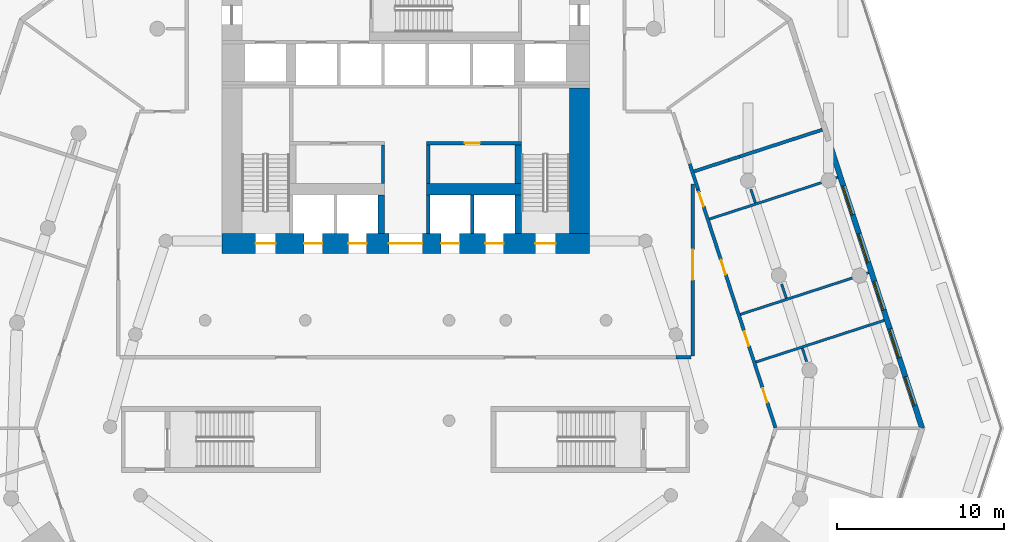
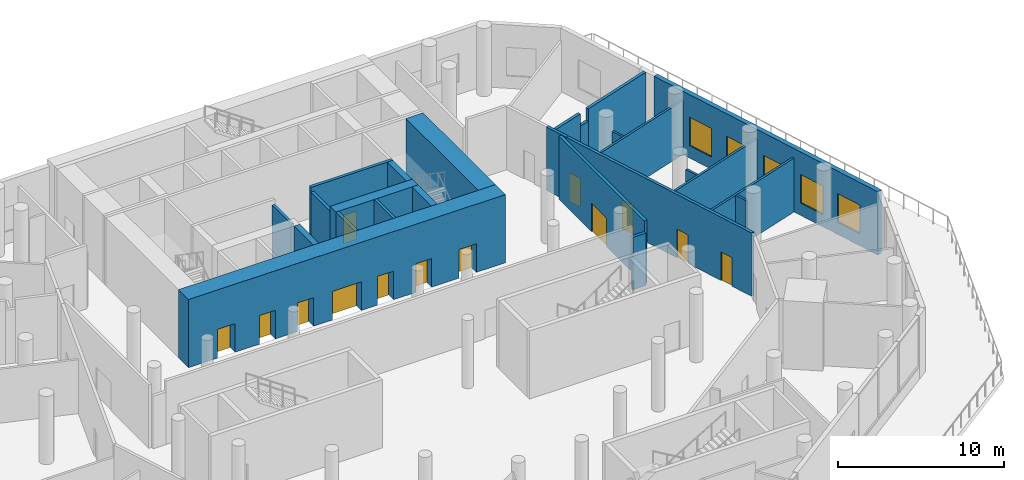
# One storey, part 12 of 19: 25 walls, 13 doors, 5 windows, 18 openings.
"""IFC4 building model written with IfcOpenShell, lengths in metres."""

from ifc_helpers import new_model, si_unit, direction, frame, frame_2d, origin, place, context, subcontext, project, spatial, rectangle, extrude, material, layer, layer_set, type_object, element, fill, save


model = new_model("IFC4")

# Units and contexts
model_context = context("Model", 3, precision=1e-05, world=origin(), true_north=direction((0.0, 1.0)))
body_context = subcontext(model_context, "Body", "Model", "MODEL_VIEW")
ifc_project = project(units=[si_unit("LENGTHUNIT", "METRE"), si_unit("AREAUNIT", "SQUARE_METRE"), si_unit("VOLUMEUNIT", "CUBIC_METRE"), si_unit("PLANEANGLEUNIT", "RADIAN"), si_unit("MASSUNIT", "GRAM", prefix="KILO")], contexts=[model_context])

# Site, building, storey
site_placement = place(None, origin())
site = spatial("IfcSite", under=ifc_project, at=site_placement, CompositionType="ELEMENT")
building_placement = place(site_placement, origin())
building = spatial("IfcBuilding", under=site, at=building_placement, Name="White Candle Pilgrim Tower", CompositionType="ELEMENT")
storey_placement = place(building_placement, frame((0.0, 0.0, 29.0)))
storey = spatial("IfcBuildingStorey", under=building, at=storey_placement, Name="L04", CompositionType="ELEMENT", Elevation=29.0)

# Walls
ifc_material_1 = material(Name="Autoclaved aerated block D500, plastered")
ifc_layer_1 = layer(ifc_material_1, 0.199951171875)
ifc_layer_set_1 = layer_set([ifc_layer_1], Name="Compartment wall 200 mm REI 240")
wall_type_1 = type_object("IfcWallType", Name="Compartment wall 200 mm REI 240", PredefinedType="PARTITIONING", material=ifc_layer_set_1)
wall_1_placement = place(storey_placement, frame((87.0087890625, 76.373779296875, 0.0), z_axis=(0.0, 0.0, 1.0), x_axis=(0.308958737343, -0.95107544318, 0.0)))
element("IfcWall", 1, at=wall_1_placement, inside=storey, type_object=wall_type_1, Name="WL-L04-P056", PredefinedType="PARTITIONING", context=body_context, shape_type="SweptSolid", body=[
    extrude(rectangle(XDim=1.60400390625, YDim=0.199951171875, at=frame_2d((0.802001953125, 0.0))), origin(), (0.0, 0.0, 1.0), 4.64990234375),
])
wall_2_placement = place(storey_placement, frame((94.94677734375, 78.414306640625, 0.0), z_axis=(0.0, 0.0, 1.0), x_axis=(-0.951065538784, -0.308989224631, 0.0)))
element("IfcWall", 2, at=wall_2_placement, inside=storey, type_object=wall_type_1, Name="WL-L04-P031", PredefinedType="PARTITIONING", context=body_context, shape_type="SweptSolid", body=[
    extrude(rectangle(XDim=5.187255859375, YDim=0.199951171875, at=frame_2d((2.59375, 0.0))), origin(), (0.0, 0.0, 1.0), 4.64990234375),
])
wall_3_placement = place(storey_placement, frame((90.013427734375, 76.8115234375, 0.0), z_axis=(0.0, 0.0, 1.0), x_axis=(-0.951067455121, -0.308983326103, 0.0)))
element("IfcWall", 3, at=wall_3_placement, inside=storey, type_object=wall_type_1, Name="WL-L04-P031a", PredefinedType="PARTITIONING", context=body_context, shape_type="SweptSolid", body=[
    extrude(rectangle(XDim=0.698486328125, YDim=0.199951171875, at=frame_2d((0.34912109375, 0.0))), origin(), (0.0, 0.0, 1.0), 3.75),
])
wall_4_placement = place(storey_placement, frame((89.34912109375, 76.595703125, 0.0), z_axis=(0.0, 0.0, 1.0), x_axis=(-0.951037339136, -0.309076009373, 0.0)))
element("IfcWall", 4, at=wall_4_placement, inside=storey, type_object=wall_type_1, Name="WL-L04-P031b", PredefinedType="PARTITIONING", context=body_context, shape_type="SweptSolid", body=[
    extrude(rectangle(XDim=2.1943359375, YDim=0.199951171875, at=frame_2d((1.09716796875, 0.0))), origin(), (0.0, 0.0, 1.0), 4.64990234375),
])

# Wall, opening, door
wall_5_placement = place(storey_placement, frame((87.199951171875, 75.1552734375, 0.0), z_axis=(0.0, 0.0, 1.0), x_axis=(0.0, -1.0, 0.0)))
wall_5 = element("IfcWall", 5, at=wall_5_placement, inside=storey, type_object=wall_type_1, Name="WL-L04-P032", PredefinedType="PARTITIONING", context=body_context, shape_type="SweptSolid", body=[
    extrude(rectangle(XDim=10.2802734375, YDim=0.199951171875, at=frame_2d((5.14013671875, 0.0))), origin(), (0.0, 0.0, 1.0), 4.64990234375),
])
opening_1_placement = place(wall_5_placement, frame((3.925048828125, 0.0, 0.0)))
opening_1 = element("IfcOpeningElement", 6, at=opening_1_placement, cuts=wall_5, Name="Opening L04-117", PredefinedType="OPENING", context=body_context, shape_type="SweptSolid", body=[
    extrude(rectangle(XDim=1.800048828125, YDim=2.10009765625, at=frame_2d((0.89990234375, 1.050048828125))), frame((0.0, 0.10986328125, 0.0), z_axis=(0.0, -1.0, 0.0), x_axis=(1.0, 0.0, 0.0)), (0.0, 0.0, 1.0), 0.219970703125),
])
ifc_material_2 = material(Name="Steel door leaf", Category="steel")
door_type_1 = type_object("IfcDoorType", Name="Compartment door 1800 x 2100 EI 60", OperationType="NOTDEFINED", PredefinedType="DOOR", material=ifc_material_2)
door_1_placement = place(opening_1_placement, origin())
door_1 = element("IfcDoor", 7, at=door_1_placement, inside=storey, type_object=door_type_1, Name="Door L04-117", OperationType="DOUBLE_DOOR_SINGLE_SWING", OverallHeight=2.10009765625, OverallWidth=1.800048828125, PredefinedType="DOOR", context=body_context, shape_type="SweptSolid", body=[
    extrude(rectangle(XDim=1.800048828125, YDim=2.10009765625, at=frame_2d((0.89990234375, 1.050048828125))), frame((0.0, 0.02490234375, 0.0), z_axis=(0.0, -1.0, 0.0), x_axis=(1.0, 0.0, 0.0)), (0.0, 0.0, 1.0), 0.050048828125),
])
fill(opening_1, door_1)

# Wall
wall_6_placement = place(storey_placement, frame((87.10009765625, 64.800048828125, 0.0), z_axis=(0.0, 0.0, 1.0), x_axis=(-1.0, 0.0, 0.0)))
element("IfcWall", 8, at=wall_6_placement, inside=storey, type_object=wall_type_1, Name="WL-L04-P033", PredefinedType="PARTITIONING", context=body_context, shape_type="SweptSolid", body=[
    extrude(rectangle(XDim=0.900146484375, YDim=0.199951171875, at=frame_2d((0.4501953125, 0.0))), origin(), (0.0, 0.0, 1.0), 3.85009765625),
])

# Wall, openings, doors
ifc_material_3 = material(Name="Gypsum board on steel studs", Category="steel")
ifc_layer_2 = layer(ifc_material_3, 0.199951171875)
ifc_layer_set_2 = layer_set([ifc_layer_2], Name="Corridor wall 200 mm EI 45")
wall_type_2 = type_object("IfcWallType", Name="Corridor wall 200 mm EI 45", PredefinedType="PARTITIONING", material=ifc_layer_set_2)
wall_7_placement = place(storey_placement, frame((87.50439453125, 74.84814453125, 0.0), z_axis=(0.0, 0.0, 1.0), x_axis=(0.309027605618, -0.951053068428, 0.0)))
wall_7 = element("IfcWall", 9, at=wall_7_placement, inside=storey, type_object=wall_type_2, Name="WL-L04-P057", PredefinedType="PARTITIONING", context=body_context, shape_type="SweptSolid", body=[
    extrude(rectangle(XDim=15.012939453125, YDim=0.199951171875, at=frame_2d((7.50634765625, 0.0))), origin(), (0.0, 0.0, 1.0), 4.64990234375),
])
opening_2_placement = place(wall_7_placement, frame((12.526611328125, 0.0, 0.0)))
opening_2 = element("IfcOpeningElement", 10, at=opening_2_placement, cuts=wall_7, Name="Opening L04-112", PredefinedType="OPENING", context=body_context, shape_type="SweptSolid", body=[
    extrude(rectangle(XDim=0.89990234375, YDim=2.10009765625, at=frame_2d((0.449951171875, 1.050048828125))), frame((0.0, 0.10986328125, 0.0), z_axis=(0.0, -1.0, 0.0), x_axis=(1.0, 0.0, 0.0)), (0.0, 0.0, 1.0), 0.219970703125),
])
opening_3_placement = place(wall_7_placement, frame((8.9580078125, 0.0, 0.0)))
opening_3 = element("IfcOpeningElement", 11, at=opening_3_placement, cuts=wall_7, Name="Opening L04-113", PredefinedType="OPENING", context=body_context, shape_type="SweptSolid", body=[
    extrude(rectangle(XDim=0.89990234375, YDim=2.10009765625, at=frame_2d((0.449951171875, 1.050048828125))), frame((0.0, 0.10986328125, 0.0), z_axis=(0.0, -1.0, 0.0), x_axis=(1.0, 0.0, 0.0)), (0.0, 0.0, 1.0), 0.219970703125),
])
opening_4_placement = place(wall_7_placement, frame((4.4580078125, 0.0, 0.0)))
opening_4 = element("IfcOpeningElement", 12, at=opening_4_placement, cuts=wall_7, Name="Opening L04-114", PredefinedType="OPENING", context=body_context, shape_type="SweptSolid", body=[
    extrude(rectangle(XDim=0.89990234375, YDim=2.10009765625, at=frame_2d((0.449951171875, 1.050048828125))), frame((0.0, 0.10986328125, 0.0), z_axis=(0.0, -1.0, 0.0), x_axis=(1.0, 0.0, 0.0)), (0.0, 0.0, 1.0), 0.219970703125),
])
opening_5_placement = place(wall_7_placement, frame((0.18310546875, 0.0, 0.0)))
opening_5 = element("IfcOpeningElement", 13, at=opening_5_placement, cuts=wall_7, Name="Opening L04-115", PredefinedType="OPENING", context=body_context, shape_type="SweptSolid", body=[
    extrude(rectangle(XDim=0.89990234375, YDim=2.10009765625, at=frame_2d((0.449951171875, 1.050048828125))), frame((0.0, 0.10986328125, 0.0), z_axis=(0.0, -1.0, 0.0), x_axis=(1.0, 0.0, 0.0)), (0.0, 0.0, 1.0), 0.219970703125),
])
door_type_2 = type_object("IfcDoorType", Name="Fire door 900 x 2100 EI 30", OperationType="NOTDEFINED", PredefinedType="DOOR", material=ifc_material_2)
door_2_placement = place(opening_2_placement, origin())
door_2 = element("IfcDoor", 14, at=door_2_placement, inside=storey, type_object=door_type_2, Name="Door L04-112", OperationType="SINGLE_SWING_RIGHT", OverallHeight=2.10009765625, OverallWidth=0.89990234375, PredefinedType="DOOR", context=body_context, shape_type="SweptSolid", body=[
    extrude(rectangle(XDim=0.89990234375, YDim=2.10009765625, at=frame_2d((0.449951171875, 1.050048828125))), frame((0.0, 0.02490234375, 0.0), z_axis=(0.0, -1.0, 0.0), x_axis=(1.0, 0.0, 0.0)), (0.0, 0.0, 1.0), 0.050048828125),
])
fill(opening_2, door_2)
door_3_placement = place(opening_3_placement, origin())
door_3 = element("IfcDoor", 15, at=door_3_placement, inside=storey, type_object=door_type_2, Name="Door L04-113", OperationType="SINGLE_SWING_LEFT", OverallHeight=2.10009765625, OverallWidth=0.89990234375, PredefinedType="DOOR", context=body_context, shape_type="SweptSolid", body=[
    extrude(rectangle(XDim=0.89990234375, YDim=2.10009765625, at=frame_2d((0.449951171875, 1.050048828125))), frame((0.0, 0.02490234375, 0.0), z_axis=(0.0, -1.0, 0.0), x_axis=(1.0, 0.0, 0.0)), (0.0, 0.0, 1.0), 0.050048828125),
])
fill(opening_3, door_3)
door_4_placement = place(opening_4_placement, origin())
door_4 = element("IfcDoor", 16, at=door_4_placement, inside=storey, type_object=door_type_2, Name="Door L04-114", OperationType="SINGLE_SWING_RIGHT", OverallHeight=2.10009765625, OverallWidth=0.89990234375, PredefinedType="DOOR", context=body_context, shape_type="SweptSolid", body=[
    extrude(rectangle(XDim=0.89990234375, YDim=2.10009765625, at=frame_2d((0.449951171875, 1.050048828125))), frame((0.0, 0.02490234375, 0.0), z_axis=(0.0, -1.0, 0.0), x_axis=(1.0, 0.0, 0.0)), (0.0, 0.0, 1.0), 0.050048828125),
])
fill(opening_4, door_4)
door_5_placement = place(opening_5_placement, origin())
door_5 = element("IfcDoor", 17, at=door_5_placement, inside=storey, type_object=door_type_2, Name="Door L04-115", OperationType="SINGLE_SWING_LEFT", OverallHeight=2.10009765625, OverallWidth=0.89990234375, PredefinedType="DOOR", context=body_context, shape_type="SweptSolid", body=[
    extrude(rectangle(XDim=0.89990234375, YDim=2.10009765625, at=frame_2d((0.449951171875, 1.050048828125))), frame((0.0, 0.02490234375, 0.0), z_axis=(0.0, -1.0, 0.0), x_axis=(1.0, 0.0, 0.0)), (0.0, 0.0, 1.0), 0.050048828125),
])
fill(opening_5, door_5)

# Wall, openings, windows
ifc_material_4 = material(Name="Precast concrete C40/50", Category="concrete")
ifc_layer_3 = layer(ifc_material_4, 0.320068359375)
ifc_layer_set_3 = layer_set([ifc_layer_3], Name="Facade wall EW3 precast concrete C40/50 and stone-faced podium wall")
wall_type_3 = type_object("IfcWallType", Name="Facade wall EW3 precast concrete C40/50 and stone-faced podium wall", PredefinedType="SOLIDWALL", material=ifc_layer_set_3)
wall_8_placement = place(storey_placement, frame((100.9228515625, 60.5390625, 0.0), z_axis=(0.0, 0.0, 1.0), x_axis=(-0.309011034794, 0.95105845266, 0.0)))
wall_8 = element("IfcWall", 18, at=wall_8_placement, inside=storey, type_object=wall_type_3, Name="Facade wall L04 ENE", PredefinedType="SOLIDWALL", context=body_context, shape_type="SweptSolid", body=[
    extrude(rectangle(XDim=18.09814453125, YDim=0.320068359375, at=frame_2d((9.049072265625, 0.0))), origin(), (0.0, 0.0, 1.0), 4.64990234375),
])
opening_6_placement = place(wall_8_placement, frame((1.447265625, 0.0, 0.89990234375)))
opening_6 = element("IfcOpeningElement", 19, at=opening_6_placement, cuts=wall_8, Name="Opening W8", PredefinedType="OPENING", context=body_context, shape_type="SweptSolid", body=[
    extrude(rectangle(XDim=1.800048828125, YDim=2.10009765625, at=frame_2d((0.89990234375, 1.050048828125))), frame((0.0, 0.169921875, 0.0), z_axis=(0.0, -1.0, 0.0), x_axis=(1.0, 0.0, 0.0)), (0.0, 0.0, 1.0), 0.340087890625),
])
opening_7_placement = place(wall_8_placement, frame((4.447265625, 0.0, 0.89990234375)))
opening_7 = element("IfcOpeningElement", 20, at=opening_7_placement, cuts=wall_8, Name="Opening W8", PredefinedType="OPENING", context=body_context, shape_type="SweptSolid", body=[
    extrude(rectangle(XDim=1.800048828125, YDim=2.10009765625, at=frame_2d((0.89990234375, 1.050048828125))), frame((0.0, 0.169921875, 0.0), z_axis=(0.0, -1.0, 0.0), x_axis=(1.0, 0.0, 0.0)), (0.0, 0.0, 1.0), 0.340087890625),
])
opening_8_placement = place(wall_8_placement, frame((7.447265625, 0.0, 0.89990234375)))
opening_8 = element("IfcOpeningElement", 21, at=opening_8_placement, cuts=wall_8, Name="Opening W8", PredefinedType="OPENING", context=body_context, shape_type="SweptSolid", body=[
    extrude(rectangle(XDim=1.800048828125, YDim=2.10009765625, at=frame_2d((0.89990234375, 1.050048828125))), frame((0.0, 0.169921875, 0.0), z_axis=(0.0, -1.0, 0.0), x_axis=(1.0, 0.0, 0.0)), (0.0, 0.0, 1.0), 0.340087890625),
])
opening_9_placement = place(wall_8_placement, frame((10.447265625, 0.0, 0.89990234375)))
opening_9 = element("IfcOpeningElement", 22, at=opening_9_placement, cuts=wall_8, Name="Opening W8", PredefinedType="OPENING", context=body_context, shape_type="SweptSolid", body=[
    extrude(rectangle(XDim=1.800048828125, YDim=2.10009765625, at=frame_2d((0.89990234375, 1.050048828125))), frame((0.0, 0.169921875, 0.0), z_axis=(0.0, -1.0, 0.0), x_axis=(1.0, 0.0, 0.0)), (0.0, 0.0, 1.0), 0.340087890625),
])
opening_10_placement = place(wall_8_placement, frame((13.447265625, 0.0, 0.89990234375)))
opening_10 = element("IfcOpeningElement", 23, at=opening_10_placement, cuts=wall_8, Name="Opening W8", PredefinedType="OPENING", context=body_context, shape_type="SweptSolid", body=[
    extrude(rectangle(XDim=1.800048828125, YDim=2.10009765625, at=frame_2d((0.89990234375, 1.050048828125))), frame((0.0, 0.169921875, 0.0), z_axis=(0.0, -1.0, 0.0), x_axis=(1.0, 0.0, 0.0)), (0.0, 0.0, 1.0), 0.340087890625),
])
ifc_material_5 = material(Name="Timber frame with triple glazing", Category="wood")
window_type = type_object("IfcWindowType", Name="Window W8 1800x2100 timber frame triple glazing", PartitioningType="SINGLE_PANEL", PredefinedType="WINDOW", material=ifc_material_5)
window_1_placement = place(opening_6_placement, origin())
window_1 = element("IfcWindow", 24, at=window_1_placement, inside=storey, type_object=window_type, Name="Window W8 L04 ENE 1", OverallHeight=2.10009765625, OverallWidth=1.800048828125, PartitioningType="SINGLE_PANEL", PredefinedType="WINDOW", context=body_context, shape_type="SweptSolid", body=[
    extrude(rectangle(XDim=1.800048828125, YDim=2.10009765625, at=frame_2d((0.89990234375, 1.050048828125))), frame((0.0, 0.070068359375, 0.0), z_axis=(0.0, -1.0, 0.0), x_axis=(1.0, 0.0, 0.0)), (0.0, 0.0, 1.0), 0.06005859375),
])
fill(opening_6, window_1)
window_2_placement = place(opening_7_placement, origin())
window_2 = element("IfcWindow", 25, at=window_2_placement, inside=storey, type_object=window_type, Name="Window W8 L04 ENE 2", OverallHeight=2.10009765625, OverallWidth=1.800048828125, PartitioningType="SINGLE_PANEL", PredefinedType="WINDOW", context=body_context, shape_type="SweptSolid", body=[
    extrude(rectangle(XDim=1.800048828125, YDim=2.10009765625, at=frame_2d((0.89990234375, 1.050048828125))), frame((0.0, 0.070068359375, 0.0), z_axis=(0.0, -1.0, 0.0), x_axis=(1.0, 0.0, 0.0)), (0.0, 0.0, 1.0), 0.06005859375),
])
fill(opening_7, window_2)
window_3_placement = place(opening_8_placement, origin())
window_3 = element("IfcWindow", 26, at=window_3_placement, inside=storey, type_object=window_type, Name="Window W8 L04 ENE 3", OverallHeight=2.10009765625, OverallWidth=1.800048828125, PartitioningType="SINGLE_PANEL", PredefinedType="WINDOW", context=body_context, shape_type="SweptSolid", body=[
    extrude(rectangle(XDim=1.800048828125, YDim=2.10009765625, at=frame_2d((0.89990234375, 1.050048828125))), frame((0.0, 0.070068359375, 0.0), z_axis=(0.0, -1.0, 0.0), x_axis=(1.0, 0.0, 0.0)), (0.0, 0.0, 1.0), 0.06005859375),
])
fill(opening_8, window_3)
window_4_placement = place(opening_9_placement, origin())
window_4 = element("IfcWindow", 27, at=window_4_placement, inside=storey, type_object=window_type, Name="Window W8 L04 ENE 4", OverallHeight=2.10009765625, OverallWidth=1.800048828125, PartitioningType="SINGLE_PANEL", PredefinedType="WINDOW", context=body_context, shape_type="SweptSolid", body=[
    extrude(rectangle(XDim=1.800048828125, YDim=2.10009765625, at=frame_2d((0.89990234375, 1.050048828125))), frame((0.0, 0.070068359375, 0.0), z_axis=(0.0, -1.0, 0.0), x_axis=(1.0, 0.0, 0.0)), (0.0, 0.0, 1.0), 0.06005859375),
])
fill(opening_9, window_4)
window_5_placement = place(opening_10_placement, origin())
window_5 = element("IfcWindow", 28, at=window_5_placement, inside=storey, type_object=window_type, Name="Window W8 L04 ENE 5", OverallHeight=2.10009765625, OverallWidth=1.800048828125, PartitioningType="SINGLE_PANEL", PredefinedType="WINDOW", context=body_context, shape_type="SweptSolid", body=[
    extrude(rectangle(XDim=1.800048828125, YDim=2.10009765625, at=frame_2d((0.89990234375, 1.050048828125))), frame((0.0, 0.070068359375, 0.0), z_axis=(0.0, -1.0, 0.0), x_axis=(1.0, 0.0, 0.0)), (0.0, 0.0, 1.0), 0.06005859375),
])
fill(opening_10, window_5)

# Walls
ifc_layer_4 = layer(ifc_material_3, 0.199951171875)
ifc_layer_set_4 = layer_set([ifc_layer_4], Name="Lobby wall 200 mm EI 60")
wall_type_4 = type_object("IfcWallType", Name="Lobby wall 200 mm EI 60", PredefinedType="PARTITIONING", material=ifc_layer_set_4)
for number, where, z_axis, x_axis, name in (
    (29, (68.64990234375, 75.199951171875, 0.0), (0.0, 0.0, 1.0), (0.0, 1.0, 0.0), "WL-L04-C33"),
    (30, (71.35009765625, 75.199951171875, 0.0), (0.0, 0.0, 1.0), (0.0, 1.0, 0.0), "WL-L04-C34"),
):
    element("IfcWall", number, at=place(storey_placement, frame(where, z_axis=z_axis, x_axis=x_axis)), inside=storey, type_object=wall_type_4, Name=name, PredefinedType="PARTITIONING", context=body_context, shape_type="SweptSolid", body=[
        extrude(rectangle(XDim=2.300048828125, YDim=0.199951171875, at=frame_2d((1.14990234375, 0.0))), origin(), (0.0, 0.0, 1.0), 4.64990234375),
    ])
ifc_layer_5 = layer(ifc_material_3, 0.14990234375)
ifc_layer_set_5 = layer_set([ifc_layer_5], Name="Partition 150 mm EI 60")
wall_type_5 = type_object("IfcWallType", Name="Partition 150 mm EI 60", PredefinedType="PARTITIONING", material=ifc_layer_set_5)
for number, where, z_axis, x_axis, name in (
    (31, (98.65478515625, 67.001708984375, 0.0), (0.0, 0.0, 1.0), (-0.951058046839, -0.309012283804, 0.0), "WL-L04-P028"),
    (32, (97.727783203125, 69.85498046875, 0.0), (0.0, 0.0, 1.0), (-0.951058046839, -0.309012283804, 0.0), "WL-L04-P029"),
    (33, (95.873779296875, 75.561279296875, 0.0), (0.0, 0.0, 1.0), (-0.951058046839, -0.309012283804, 0.0), "WL-L04-P030"),
):
    element("IfcWall", number, at=place(storey_placement, frame(where, z_axis=z_axis, x_axis=x_axis)), inside=storey, type_object=wall_type_5, Name=name, PredefinedType="PARTITIONING", context=body_context, shape_type="SweptSolid", body=[
        extrude(rectangle(XDim=8.080078125, YDim=0.14990234375, at=frame_2d((4.0400390625, 0.0))), origin(), (0.0, 0.0, 1.0), 3.949951171875),
    ])
wall_9_placement = place(storey_placement, frame((94.0087890625, 64.531982421875, 0.0), z_axis=(0.0, 0.0, 1.0), x_axis=(-0.308789641401, 0.951130357713, 0.0)))
element("IfcWall", 34, at=wall_9_placement, inside=storey, type_object=wall_type_5, Name="WL-L04-P037", PredefinedType="PARTITIONING", context=body_context, shape_type="SweptSolid", body=[
    extrude(rectangle(XDim=0.838134765625, YDim=0.14990234375, at=frame_2d((0.4189453125, 0.0))), origin(), (0.0, 0.0, 1.0), 3.949951171875),
])
wall_10_placement = place(storey_placement, frame((92.510986328125, 69.177978515625, 0.0), z_axis=(0.0, 0.0, 1.0), x_axis=(0.309166424814, -0.951007950423, 0.0)))
element("IfcWall", 35, at=wall_10_placement, inside=storey, type_object=wall_type_5, Name="WL-L04-P038", PredefinedType="PARTITIONING", context=body_context, shape_type="SweptSolid", body=[
    extrude(rectangle(XDim=0.89306640625, YDim=0.14990234375, at=frame_2d((0.446533203125, 0.0))), origin(), (0.0, 0.0, 1.0), 3.949951171875),
])
wall_11_placement = place(storey_placement, frame((90.671142578125, 74.847900390625, 0.0), z_axis=(0.0, 0.0, 1.0), x_axis=(0.30893097988, -0.951084459798, 0.0)))
element("IfcWall", 36, at=wall_11_placement, inside=storey, type_object=wall_type_5, Name="WL-L04-P039", PredefinedType="PARTITIONING", context=body_context, shape_type="SweptSolid", body=[
    extrude(rectangle(XDim=0.854248046875, YDim=0.14990234375, at=frame_2d((0.42724609375, 0.0))), origin(), (0.0, 0.0, 1.0), 3.949951171875),
])
ifc_material_6 = material(Name="Concrete C70/85", Category="concrete")
ifc_layer_6 = layer(ifc_material_6, 0.199951171875)
ifc_layer_set_6 = layer_set([ifc_layer_6], Name="Shaft wall 200 mm Concrete C70/85")
wall_type_6 = type_object("IfcWallType", Name="Shaft wall 200 mm Concrete C70/85", PredefinedType="SHEAR", material=ifc_layer_set_6)
for number, where, z_axis, x_axis, name in (
    (37, (71.35009765625, 72.199951171875, 0.0), (0.0, 0.0, 1.0), (0.0, 1.0, 0.0), "WL-L04-C26"),
    (38, (74.0, 72.199951171875, 0.0), (0.0, 0.0, 1.0), (0.0, 1.0, 0.0), "WL-L04-C27"),
):
    element("IfcWall", number, at=place(storey_placement, frame(where, z_axis=z_axis, x_axis=x_axis)), inside=storey, type_object=wall_type_6, Name=name, PredefinedType="SHEAR", context=body_context, shape_type="SweptSolid", body=[
        extrude(rectangle(XDim=2.300048828125, YDim=0.199951171875, at=frame_2d((1.14990234375, 0.0))), origin(), (0.0, 0.0, 1.0), 5.0),
    ])
ifc_layer_7 = layer(ifc_material_6, 0.39990234375)
ifc_layer_set_7 = layer_set([ifc_layer_7], Name="Shaft wall 400 mm Concrete C70/85")
wall_type_7 = type_object("IfcWallType", Name="Shaft wall 400 mm Concrete C70/85", PredefinedType="SHEAR", material=ifc_layer_set_7)
wall_12_placement = place(storey_placement, frame((68.550048828125, 72.199951171875, 0.0), z_axis=(0.0, 0.0, 1.0), x_axis=(0.0, 1.0, 0.0)))
element("IfcWall", 39, at=wall_12_placement, inside=storey, type_object=wall_type_7, Name="WL-L04-C25", PredefinedType="SHEAR", context=body_context, shape_type="SweptSolid", body=[
    extrude(rectangle(XDim=2.300048828125, YDim=0.39990234375, at=frame_2d((1.14990234375, 0.0))), origin(), (0.0, 0.0, 1.0), 5.0),
])

# Wall, openings, doors
ifc_layer_8 = layer(ifc_material_6, 1.199951171875)
ifc_layer_set_8 = layer_set([ifc_layer_8], Name="Stair shaft wall 1200 mm Concrete C70/85")
wall_type_8 = type_object("IfcWallType", Name="Stair shaft wall 1200 mm Concrete C70/85", PredefinedType="SHEAR", material=ifc_layer_set_8)
wall_13_placement = place(storey_placement, frame((59.0, 71.60009765625, 0.0), z_axis=(0.0, 0.0, 1.0), x_axis=(1.0, 0.0, 0.0)))
wall_13 = element("IfcWall", 40, at=wall_13_placement, inside=storey, type_object=wall_type_8, Name="WL-L04-C21", PredefinedType="SHEAR", context=body_context, shape_type="SweptSolid", body=[
    extrude(rectangle(XDim=22.0, YDim=1.199951171875, at=frame_2d((11.0, 0.0))), origin(), (0.0, 0.0, 1.0), 5.0),
])
opening_11_placement = place(wall_13_placement, frame((2.02490234375, 0.0, 0.0)))
opening_11 = element("IfcOpeningElement", 41, at=opening_11_placement, cuts=wall_13, Name="Opening L04-001", PredefinedType="OPENING", context=body_context, shape_type="SweptSolid", body=[
    extrude(rectangle(XDim=1.199951171875, YDim=2.10009765625, at=frame_2d((0.60009765625, 1.050048828125))), frame((0.0, 0.60986328125, 0.0), z_axis=(0.0, -1.0, 0.0), x_axis=(1.0, 0.0, 0.0)), (0.0, 0.0, 1.0), 1.219970703125),
])
opening_12_placement = place(wall_13_placement, frame((18.77490234375, 0.0, 0.0)))
opening_12 = element("IfcOpeningElement", 42, at=opening_12_placement, cuts=wall_13, Name="Opening L04-002", PredefinedType="OPENING", context=body_context, shape_type="SweptSolid", body=[
    extrude(rectangle(XDim=1.199951171875, YDim=2.10009765625, at=frame_2d((0.60009765625, 1.050048828125))), frame((0.0, 0.60986328125, 0.0), z_axis=(0.0, -1.0, 0.0), x_axis=(1.0, 0.0, 0.0)), (0.0, 0.0, 1.0), 1.219970703125),
])
opening_13_placement = place(wall_13_placement, frame((10.0, 0.0, 0.0)))
opening_13 = element("IfcOpeningElement", 43, at=opening_13_placement, cuts=wall_13, Name="Opening L04-004", PredefinedType="OPENING", context=body_context, shape_type="SweptSolid", body=[
    extrude(rectangle(XDim=2.0, YDim=2.10009765625, at=frame_2d((1.0, 1.050048828125))), frame((0.0, 0.60986328125, 0.0), z_axis=(0.0, -1.0, 0.0), x_axis=(1.0, 0.0, 0.0)), (0.0, 0.0, 1.0), 1.219970703125),
])
opening_14_placement = place(wall_13_placement, frame((4.925048828125, 0.0, 0.0)))
opening_14 = element("IfcOpeningElement", 44, at=opening_14_placement, cuts=wall_13, Name="Opening L04-018", PredefinedType="OPENING", context=body_context, shape_type="SweptSolid", body=[
    extrude(rectangle(XDim=1.10009765625, YDim=2.10009765625, at=frame_2d((0.550048828125, 1.050048828125))), frame((0.0, 0.60986328125, 0.0), z_axis=(0.0, -1.0, 0.0), x_axis=(1.0, 0.0, 0.0)), (0.0, 0.0, 1.0), 1.219970703125),
])
opening_15_placement = place(wall_13_placement, frame((7.574951171875, 0.0, 0.0)))
opening_15 = element("IfcOpeningElement", 45, at=opening_15_placement, cuts=wall_13, Name="Opening L04-019", PredefinedType="OPENING", context=body_context, shape_type="SweptSolid", body=[
    extrude(rectangle(XDim=1.10009765625, YDim=2.10009765625, at=frame_2d((0.550048828125, 1.050048828125))), frame((0.0, 0.60986328125, 0.0), z_axis=(0.0, -1.0, 0.0), x_axis=(1.0, 0.0, 0.0)), (0.0, 0.0, 1.0), 1.219970703125),
])
opening_16_placement = place(wall_13_placement, frame((13.125, 0.0, 0.0)))
opening_16 = element("IfcOpeningElement", 46, at=opening_16_placement, cuts=wall_13, Name="Opening L04-020", PredefinedType="OPENING", context=body_context, shape_type="SweptSolid", body=[
    extrude(rectangle(XDim=1.10009765625, YDim=2.10009765625, at=frame_2d((0.550048828125, 1.050048828125))), frame((0.0, 0.60986328125, 0.0), z_axis=(0.0, -1.0, 0.0), x_axis=(1.0, 0.0, 0.0)), (0.0, 0.0, 1.0), 1.219970703125),
])
opening_17_placement = place(wall_13_placement, frame((15.77490234375, 0.0, 0.0)))
opening_17 = element("IfcOpeningElement", 47, at=opening_17_placement, cuts=wall_13, Name="Opening L04-021", PredefinedType="OPENING", context=body_context, shape_type="SweptSolid", body=[
    extrude(rectangle(XDim=1.10009765625, YDim=2.10009765625, at=frame_2d((0.550048828125, 1.050048828125))), frame((0.0, 0.60986328125, 0.0), z_axis=(0.0, -1.0, 0.0), x_axis=(1.0, 0.0, 0.0)), (0.0, 0.0, 1.0), 1.219970703125),
])
door_type_3 = type_object("IfcDoorType", Name="Fire door 1200 x 2100 EI 60", OperationType="NOTDEFINED", PredefinedType="DOOR", material=ifc_material_2)
door_6_placement = place(opening_11_placement, frame((1.199951171875, 0.0, 0.0), z_axis=(0.0, 0.0, 1.0), x_axis=(-1.0, 0.0, 0.0)))
door_6 = element("IfcDoor", 48, at=door_6_placement, inside=storey, type_object=door_type_3, Name="Door L04-001", OperationType="SINGLE_SWING_RIGHT", OverallHeight=2.10009765625, OverallWidth=1.199951171875, PredefinedType="DOOR", context=body_context, shape_type="SweptSolid", body=[
    extrude(rectangle(XDim=1.199951171875, YDim=2.10009765625, at=frame_2d((0.60009765625, 1.050048828125))), frame((0.0, 0.02490234375, 0.0), z_axis=(0.0, -1.0, 0.0), x_axis=(1.0, 0.0, 0.0)), (0.0, 0.0, 1.0), 0.050048828125),
])
fill(opening_11, door_6)
door_7_placement = place(opening_12_placement, frame((1.199951171875, 0.0, 0.0), z_axis=(0.0, 0.0, 1.0), x_axis=(-1.0, 0.0, 0.0)))
door_7 = element("IfcDoor", 49, at=door_7_placement, inside=storey, type_object=door_type_3, Name="Door L04-002", OperationType="SINGLE_SWING_LEFT", OverallHeight=2.10009765625, OverallWidth=1.199951171875, PredefinedType="DOOR", context=body_context, shape_type="SweptSolid", body=[
    extrude(rectangle(XDim=1.199951171875, YDim=2.10009765625, at=frame_2d((0.60009765625, 1.050048828125))), frame((0.0, 0.02490234375, 0.0), z_axis=(0.0, -1.0, 0.0), x_axis=(1.0, 0.0, 0.0)), (0.0, 0.0, 1.0), 0.050048828125),
])
fill(opening_12, door_7)
door_type_4 = type_object("IfcDoorType", Name="Fire door 2000 x 2100 EI 60", OperationType="NOTDEFINED", PredefinedType="DOOR", material=ifc_material_2)
door_8_placement = place(opening_13_placement, frame((2.0, 0.0, 0.0), z_axis=(0.0, 0.0, 1.0), x_axis=(-1.0, 0.0, 0.0)))
door_8 = element("IfcDoor", 50, at=door_8_placement, inside=storey, type_object=door_type_4, Name="Door L04-004", OperationType="DOUBLE_DOOR_SINGLE_SWING", OverallHeight=2.10009765625, OverallWidth=2.0, PredefinedType="DOOR", context=body_context, shape_type="SweptSolid", body=[
    extrude(rectangle(XDim=2.0, YDim=2.10009765625, at=frame_2d((1.0, 1.050048828125))), frame((0.0, 0.02490234375, 0.0), z_axis=(0.0, -1.0, 0.0), x_axis=(1.0, 0.0, 0.0)), (0.0, 0.0, 1.0), 0.050048828125),
])
fill(opening_13, door_8)
ifc_material_7 = material(Name="Stainless steel", Category="steel")
door_type_5 = type_object("IfcDoorType", Name="Lift landing door 1100 x 2100 E 60", OperationType="DOUBLE_DOOR_SLIDING", PredefinedType="DOOR", material=ifc_material_7)
door_9_placement = place(opening_14_placement, origin())
door_9 = element("IfcDoor", 51, at=door_9_placement, inside=storey, type_object=door_type_5, Name="Door L04-018", OperationType="DOUBLE_DOOR_SLIDING", OverallHeight=2.10009765625, OverallWidth=1.10009765625, PredefinedType="DOOR", context=body_context, shape_type="SweptSolid", body=[
    extrude(rectangle(XDim=1.10009765625, YDim=2.10009765625, at=frame_2d((0.550048828125, 1.050048828125))), frame((0.0, 0.02490234375, 0.0), z_axis=(0.0, -1.0, 0.0), x_axis=(1.0, 0.0, 0.0)), (0.0, 0.0, 1.0), 0.050048828125),
])
fill(opening_14, door_9)
door_10_placement = place(opening_15_placement, origin())
door_10 = element("IfcDoor", 52, at=door_10_placement, inside=storey, type_object=door_type_5, Name="Door L04-019", OperationType="DOUBLE_DOOR_SLIDING", OverallHeight=2.10009765625, OverallWidth=1.10009765625, PredefinedType="DOOR", context=body_context, shape_type="SweptSolid", body=[
    extrude(rectangle(XDim=1.10009765625, YDim=2.10009765625, at=frame_2d((0.550048828125, 1.050048828125))), frame((0.0, 0.02490234375, 0.0), z_axis=(0.0, -1.0, 0.0), x_axis=(1.0, 0.0, 0.0)), (0.0, 0.0, 1.0), 0.050048828125),
])
fill(opening_15, door_10)
door_11_placement = place(opening_16_placement, origin())
door_11 = element("IfcDoor", 53, at=door_11_placement, inside=storey, type_object=door_type_5, Name="Door L04-020", OperationType="DOUBLE_DOOR_SLIDING", OverallHeight=2.10009765625, OverallWidth=1.10009765625, PredefinedType="DOOR", context=body_context, shape_type="SweptSolid", body=[
    extrude(rectangle(XDim=1.10009765625, YDim=2.10009765625, at=frame_2d((0.550048828125, 1.050048828125))), frame((0.0, 0.02490234375, 0.0), z_axis=(0.0, -1.0, 0.0), x_axis=(1.0, 0.0, 0.0)), (0.0, 0.0, 1.0), 0.050048828125),
])
fill(opening_16, door_11)
door_12_placement = place(opening_17_placement, origin())
door_12 = element("IfcDoor", 54, at=door_12_placement, inside=storey, type_object=door_type_5, Name="Door L04-021", OperationType="DOUBLE_DOOR_SLIDING", OverallHeight=2.10009765625, OverallWidth=1.10009765625, PredefinedType="DOOR", context=body_context, shape_type="SweptSolid", body=[
    extrude(rectangle(XDim=1.10009765625, YDim=2.10009765625, at=frame_2d((0.550048828125, 1.050048828125))), frame((0.0, 0.02490234375, 0.0), z_axis=(0.0, -1.0, 0.0), x_axis=(1.0, 0.0, 0.0)), (0.0, 0.0, 1.0), 0.050048828125),
])
fill(opening_17, door_12)

# Wall
wall_14_placement = place(storey_placement, frame((80.39990234375, 72.199951171875, 0.0), z_axis=(0.0, 0.0, 1.0), x_axis=(0.0, 1.0, 0.0)))
element("IfcWall", 55, at=wall_14_placement, inside=storey, type_object=wall_type_8, Name="WL-L04-C29", PredefinedType="SHEAR", context=body_context, shape_type="SweptSolid", body=[
    extrude(rectangle(XDim=8.699951171875, YDim=1.199951171875, at=frame_2d((4.35009765625, 0.0))), origin(), (0.0, 0.0, 1.0), 5.0),
])

# Wall, opening, door
ifc_layer_9 = layer(ifc_material_6, 0.199951171875)
ifc_layer_set_9 = layer_set([ifc_layer_9], Name="Stair shaft wall 200 mm Concrete C70/85")
wall_type_9 = type_object("IfcWallType", Name="Stair shaft wall 200 mm Concrete C70/85", PredefinedType="SHEAR", material=ifc_layer_set_9)
wall_15_placement = place(storey_placement, frame((71.25, 77.60009765625, 0.0), z_axis=(0.0, 0.0, 1.0), x_axis=(1.0, 0.0, 0.0)))
wall_15 = element("IfcWall", 56, at=wall_15_placement, inside=storey, type_object=wall_type_9, Name="WL-L04-C37", PredefinedType="SHEAR", context=body_context, shape_type="SweptSolid", body=[
    extrude(rectangle(XDim=5.699951171875, YDim=0.199951171875, at=frame_2d((2.85009765625, 0.0))), origin(), (0.0, 0.0, 1.0), 5.0),
])
opening_18_placement = place(wall_15_placement, frame((2.300048828125, 0.0, 0.0)))
opening_18 = element("IfcOpeningElement", 57, at=opening_18_placement, cuts=wall_15, Name="Opening L04-025", PredefinedType="OPENING", context=body_context, shape_type="SweptSolid", body=[
    extrude(rectangle(XDim=0.89990234375, YDim=2.10009765625, at=frame_2d((0.449951171875, 1.050048828125))), frame((0.0, 0.10986328125, 0.0), z_axis=(0.0, -1.0, 0.0), x_axis=(1.0, 0.0, 0.0)), (0.0, 0.0, 1.0), 0.219970703125),
])
door_13_placement = place(opening_18_placement, origin())
door_13 = element("IfcDoor", 58, at=door_13_placement, inside=storey, type_object=door_type_2, Name="Door L04-025", OperationType="SINGLE_SWING_LEFT", OverallHeight=2.10009765625, OverallWidth=0.89990234375, PredefinedType="DOOR", context=body_context, shape_type="SweptSolid", body=[
    extrude(rectangle(XDim=0.89990234375, YDim=2.10009765625, at=frame_2d((0.449951171875, 1.050048828125))), frame((0.0, 0.02490234375, 0.0), z_axis=(0.0, -1.0, 0.0), x_axis=(1.0, 0.0, 0.0)), (0.0, 0.0, 1.0), 0.050048828125),
])
fill(opening_18, door_13)

# Walls
ifc_layer_10 = layer(ifc_material_6, 0.39990234375)
ifc_layer_set_10 = layer_set([ifc_layer_10], Name="Stair shaft wall 400 mm Concrete C70/85")
wall_type_10 = type_object("IfcWallType", Name="Stair shaft wall 400 mm Concrete C70/85", PredefinedType="SHEAR", material=ifc_layer_set_10)
for number, where, z_axis, x_axis, name in (
    (59, (76.75, 72.199951171875, 0.0), (0.0, 0.0, 1.0), (0.0, 1.0, 0.0), "WL-L04-C28"),
    (60, (76.75, 75.199951171875, 0.0), (0.0, 0.0, 1.0), (0.0, 1.0, 0.0), "WL-L04-C35"),
):
    element("IfcWall", number, at=place(storey_placement, frame(where, z_axis=z_axis, x_axis=x_axis)), inside=storey, type_object=wall_type_10, Name=name, PredefinedType="SHEAR", context=body_context, shape_type="SweptSolid", body=[
        extrude(rectangle(XDim=2.300048828125, YDim=0.39990234375, at=frame_2d((1.14990234375, 0.0))), origin(), (0.0, 0.0, 1.0), 5.0),
    ])
ifc_layer_11 = layer(ifc_material_6, 0.699951171875)
ifc_layer_set_11 = layer_set([ifc_layer_11], Name="Stair shaft wall 700 mm Concrete C70/85")
wall_type_11 = type_object("IfcWallType", Name="Stair shaft wall 700 mm Concrete C70/85", PredefinedType="SHEAR", material=ifc_layer_set_11)
wall_16_placement = place(storey_placement, frame((71.25, 74.85009765625, 0.0), z_axis=(0.0, 0.0, 1.0), x_axis=(1.0, 0.0, 0.0)))
element("IfcWall", 61, at=wall_16_placement, inside=storey, type_object=wall_type_11, Name="WL-L04-C31", PredefinedType="SHEAR", context=body_context, shape_type="SweptSolid", body=[
    extrude(rectangle(XDim=5.699951171875, YDim=0.699951171875, at=frame_2d((2.85009765625, 0.0))), origin(), (0.0, 0.0, 1.0), 5.0),
])

save(model, "model.ifc")
